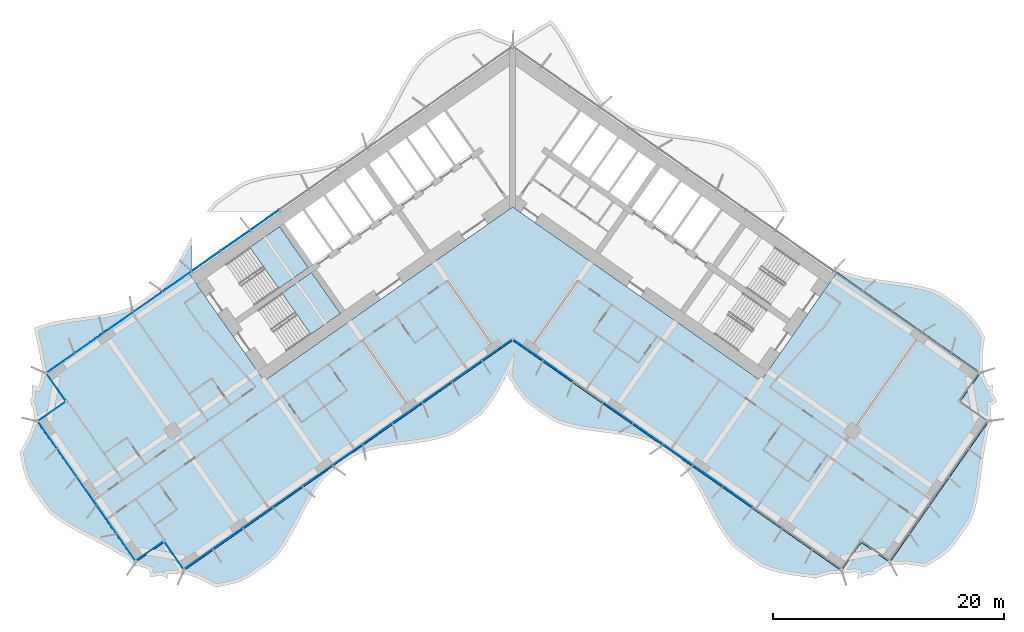
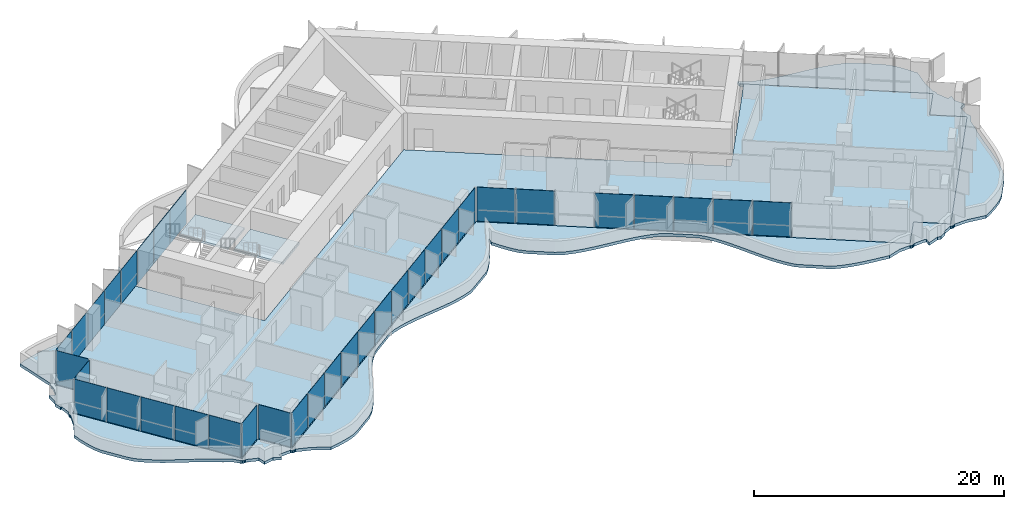
# One storey, part 10 of 22: 35 plates, 4 slabs, 4 elements without a shape of their own.
"""IFC4 building model written with IfcOpenShell, lengths in metres."""

from ifc_helpers import new_model, si_unit, direction, frame, origin, origin_2d, place, context, subcontext, project, spatial, polyline, rectangle, outline, extrude, material, layer, layer_set, type_object, element, aggregate, save


model = new_model("IFC4")

# Units and contexts
model_context = context("Model", 3, precision=1e-05, world=origin(), true_north=direction((0.0, 1.0)))
body_context = subcontext(model_context, "Body", "Model", "MODEL_VIEW")
ifc_project = project(units=[si_unit("LENGTHUNIT", "METRE"), si_unit("AREAUNIT", "SQUARE_METRE"), si_unit("VOLUMEUNIT", "CUBIC_METRE"), si_unit("PLANEANGLEUNIT", "RADIAN"), si_unit("MASSUNIT", "GRAM", prefix="KILO")], contexts=[model_context])

# Site, building, storey
site_placement = place(None, origin())
site = spatial("IfcSite", under=ifc_project, at=site_placement, CompositionType="ELEMENT")
building_placement = place(site_placement, origin())
building = spatial("IfcBuilding", under=site, at=building_placement, Name="Tel Ilan Convention Tower", CompositionType="ELEMENT")
storey_placement = place(building_placement, frame((0.0, 0.0, 122.89990234375)))
storey = spatial("IfcBuildingStorey", under=building, at=storey_placement, Name="L27", CompositionType="ELEMENT", Elevation=122.89990234375)

# Curtain wall, plates
ifc_material_1 = material(Name="Aluminium, bronze anodised", Category="aluminium")
curtain_wall_type_1 = type_object("IfcCurtainWallType", Name="CW1 UNITISED CURTAIN WALL, HOTEL TINTED GLASS", PredefinedType="NOTDEFINED", material=ifc_material_1)
curtain_wall_1_placement = place(storey_placement, origin())
curtain_wall_1 = element("IfcCurtainWall", 1, at=curtain_wall_1_placement, inside=storey, type_object=curtain_wall_type_1, Name="Curtain wall CW1-21.02", PredefinedType="NOTDEFINED")
ifc_material_2 = material(Name="Glass, bronze tinted, two-ply unitised", Category="glass")
ifc_layer_1 = layer(ifc_material_2, 0.028076171875)
ifc_layer_set_1 = layer_set([ifc_layer_1], Name="CW HOTEL GLASS PANEL 28")
plate_type_1 = type_object("IfcPlateType", Name="CW HOTEL GLASS PANEL 28", PredefinedType="CURTAIN_PANEL", material=ifc_layer_set_1)
plate_1_placement = place(storey_placement, frame((-29.1171875, -7.692138671875, 0.0), z_axis=(0.0, 0.0, 1.0), x_axis=(-0.819152044289, -0.573576436351, 0.0)))
plate_1 = element("IfcPlate", 2, at=plate_1_placement, type_object=plate_type_1, Name="Glass panel", PredefinedType="CURTAIN_PANEL", context=body_context, shape_type="SweptSolid", body=[
    extrude(rectangle(XDim=3.037109375, YDim=0.028076171875, at=origin_2d()), origin(), (0.0, 0.0, 1.0), 3.320068359375),
])
plate_2_placement = place(storey_placement, frame((-31.654296875, -9.468505859375, 0.0), z_axis=(0.0, 0.0, 1.0), x_axis=(-0.819152044289, -0.573576436351, 0.0)))
plate_2 = element("IfcPlate", 3, at=plate_2_placement, type_object=plate_type_1, Name="Glass panel", PredefinedType="CURTAIN_PANEL", context=body_context, shape_type="SweptSolid", body=[
    extrude(rectangle(XDim=3.037109375, YDim=0.028076171875, at=origin_2d()), origin(), (0.0, 0.0, 1.0), 3.320068359375),
])
plate_3_placement = place(storey_placement, frame((-34.191162109375, -11.244873046875, 0.0), z_axis=(0.0, 0.0, 1.0), x_axis=(-0.819152044289, -0.573576436351, 0.0)))
plate_3 = element("IfcPlate", 4, at=plate_3_placement, type_object=plate_type_1, Name="Glass panel", PredefinedType="CURTAIN_PANEL", context=body_context, shape_type="SweptSolid", body=[
    extrude(rectangle(XDim=3.037109375, YDim=0.028076171875, at=origin_2d()), origin(), (0.0, 0.0, 1.0), 3.320068359375),
])
plate_4_placement = place(storey_placement, frame((-36.72802734375, -13.021240234375, 0.0), z_axis=(0.0, 0.0, 1.0), x_axis=(-0.819152044289, -0.573576436351, 0.0)))
plate_4 = element("IfcPlate", 5, at=plate_4_placement, type_object=plate_type_1, Name="Glass panel", PredefinedType="CURTAIN_PANEL", context=body_context, shape_type="SweptSolid", body=[
    extrude(rectangle(XDim=3.037109375, YDim=0.028076171875, at=origin_2d()), origin(), (0.0, 0.0, 1.0), 3.320068359375),
])
plate_5_placement = place(storey_placement, frame((-39.2265625, -14.7705078125, 0.0), z_axis=(0.0, 0.0, 1.0), x_axis=(-0.819152044289, -0.573576436351, 0.0)))
plate_5 = element("IfcPlate", 6, at=plate_5_placement, type_object=plate_type_1, Name="Glass panel", PredefinedType="CURTAIN_PANEL", context=body_context, shape_type="SweptSolid", body=[
    extrude(rectangle(XDim=2.943115234375, YDim=0.028076171875, at=origin_2d()), origin(), (0.0, 0.0, 1.0), 3.320068359375),
])
plate_6_placement = place(storey_placement, frame((-39.61328125, -16.82568359375, 0.0), z_axis=(0.0, 0.0, 1.0), x_axis=(0.573576436351, -0.819152044289, 0.0)))
plate_6 = element("IfcPlate", 7, at=plate_6_placement, type_object=plate_type_1, Name="Glass panel", PredefinedType="CURTAIN_PANEL", context=body_context, shape_type="SweptSolid", body=[
    extrude(rectangle(XDim=2.875, YDim=0.028076171875, at=origin_2d()), origin(), (0.0, 0.0, 1.0), 3.320068359375),
])
plate_7_placement = place(storey_placement, frame((-39.990966796875, -18.96826171875, 0.0), z_axis=(0.0, 0.0, 1.0), x_axis=(-0.819152044289, -0.573576436351, 0.0)))
plate_7 = element("IfcPlate", 8, at=plate_7_placement, type_object=plate_type_1, Name="Glass panel", PredefinedType="CURTAIN_PANEL", context=body_context, shape_type="SweptSolid", body=[
    extrude(rectangle(XDim=2.875, YDim=0.028076171875, at=origin_2d()), origin(), (0.0, 0.0, 1.0), 3.320068359375),
])
plate_8_placement = place(storey_placement, frame((-40.358154296875, -20.991943359375, 0.0), z_axis=(0.0, 0.0, 1.0), x_axis=(0.573576436351, -0.819152044289, 0.0)))
plate_8 = element("IfcPlate", 9, at=plate_8_placement, type_object=plate_type_1, Name="Glass panel", PredefinedType="CURTAIN_PANEL", context=body_context, shape_type="SweptSolid", body=[
    extrude(rectangle(XDim=2.845947265625, YDim=0.028076171875, at=origin_2d()), origin(), (0.0, 0.0, 1.0), 3.320068359375),
])
plate_9_placement = place(storey_placement, frame((-38.66455078125, -23.410888671875, 0.0), z_axis=(0.0, 0.0, 1.0), x_axis=(0.573576436351, -0.819152044289, 0.0)))
plate_9 = element("IfcPlate", 10, at=plate_9_placement, type_object=plate_type_1, Name="Glass panel", PredefinedType="CURTAIN_PANEL", context=body_context, shape_type="SweptSolid", body=[
    extrude(rectangle(XDim=2.93994140625, YDim=0.028076171875, at=origin_2d()), origin(), (0.0, 0.0, 1.0), 3.320068359375),
])
plate_10_placement = place(storey_placement, frame((-36.94384765625, -25.868408203125, 0.0), z_axis=(0.0, 0.0, 1.0), x_axis=(0.573576436351, -0.819152044289, 0.0)))
plate_10 = element("IfcPlate", 11, at=plate_10_placement, type_object=plate_type_1, Name="Glass panel", PredefinedType="CURTAIN_PANEL", context=body_context, shape_type="SweptSolid", body=[
    extrude(rectangle(XDim=2.93994140625, YDim=0.028076171875, at=origin_2d()), origin(), (0.0, 0.0, 1.0), 3.320068359375),
])
plate_11_placement = place(storey_placement, frame((-35.22314453125, -28.32568359375, 0.0), z_axis=(0.0, 0.0, 1.0), x_axis=(0.573576436351, -0.819152044289, 0.0)))
plate_11 = element("IfcPlate", 12, at=plate_11_placement, type_object=plate_type_1, Name="Glass panel", PredefinedType="CURTAIN_PANEL", context=body_context, shape_type="SweptSolid", body=[
    extrude(rectangle(XDim=2.93994140625, YDim=0.028076171875, at=origin_2d()), origin(), (0.0, 0.0, 1.0), 3.320068359375),
])
plate_12_placement = place(storey_placement, frame((-33.529296875, -30.74462890625, 0.0), z_axis=(0.0, 0.0, 1.0), x_axis=(0.573576436351, -0.819152044289, 0.0)))
plate_12 = element("IfcPlate", 13, at=plate_12_placement, type_object=plate_type_1, Name="Glass panel", PredefinedType="CURTAIN_PANEL", context=body_context, shape_type="SweptSolid", body=[
    extrude(rectangle(XDim=2.845947265625, YDim=0.028076171875, at=origin_2d()), origin(), (0.0, 0.0, 1.0), 3.320068359375),
])
plate_13_placement = place(storey_placement, frame((-31.502197265625, -31.091796875, 0.0), z_axis=(0.0, 0.0, 1.0), x_axis=(0.819152044289, 0.573576436351, 0.0)))
plate_13 = element("IfcPlate", 14, at=plate_13_placement, type_object=plate_type_1, Name="Glass panel", PredefinedType="CURTAIN_PANEL", context=body_context, shape_type="SweptSolid", body=[
    extrude(rectangle(XDim=2.875, YDim=0.028076171875, at=origin_2d()), origin(), (0.0, 0.0, 1.0), 3.320068359375),
])
plate_14_placement = place(storey_placement, frame((-29.359375, -31.469482421875, 0.0), z_axis=(0.0, 0.0, 1.0), x_axis=(0.573576436351, -0.819152044289, 0.0)))
plate_14 = element("IfcPlate", 15, at=plate_14_placement, type_object=plate_type_1, Name="Glass panel", PredefinedType="CURTAIN_PANEL", context=body_context, shape_type="SweptSolid", body=[
    extrude(rectangle(XDim=2.875, YDim=0.028076171875, at=origin_2d()), origin(), (0.0, 0.0, 1.0), 3.320068359375),
])
plate_15_placement = place(storey_placement, frame((-27.26708984375, -31.78857421875, 0.0), z_axis=(0.0, 0.0, 1.0), x_axis=(0.819152044289, 0.573576436351, 0.0)))
plate_15 = element("IfcPlate", 16, at=plate_15_placement, type_object=plate_type_1, Name="Glass panel", PredefinedType="CURTAIN_PANEL", context=body_context, shape_type="SweptSolid", body=[
    extrude(rectangle(XDim=3.013916015625, YDim=0.028076171875, at=origin_2d()), origin(), (0.0, 0.0, 1.0), 3.320068359375),
])
plate_16_placement = place(storey_placement, frame((-24.71044921875, -29.99853515625, 0.0), z_axis=(0.0, 0.0, 1.0), x_axis=(0.819152044289, 0.573576436351, 0.0)))
plate_16 = element("IfcPlate", 17, at=plate_16_placement, type_object=plate_type_1, Name="Glass panel", PredefinedType="CURTAIN_PANEL", context=body_context, shape_type="SweptSolid", body=[
    extrude(rectangle(XDim=3.10791015625, YDim=0.028076171875, at=origin_2d()), origin(), (0.0, 0.0, 1.0), 3.320068359375),
])
plate_17_placement = place(storey_placement, frame((-22.115478515625, -28.181396484375, 0.0), z_axis=(0.0, 0.0, 1.0), x_axis=(0.819152044289, 0.573576436351, 0.0)))
plate_17 = element("IfcPlate", 18, at=plate_17_placement, type_object=plate_type_1, Name="Glass panel", PredefinedType="CURTAIN_PANEL", context=body_context, shape_type="SweptSolid", body=[
    extrude(rectangle(XDim=3.10791015625, YDim=0.028076171875, at=origin_2d()), origin(), (0.0, 0.0, 1.0), 3.320068359375),
])
plate_18_placement = place(storey_placement, frame((-19.520263671875, -26.3642578125, 0.0), z_axis=(0.0, 0.0, 1.0), x_axis=(0.819152044289, 0.573576436351, 0.0)))
plate_18 = element("IfcPlate", 19, at=plate_18_placement, type_object=plate_type_1, Name="Glass panel", PredefinedType="CURTAIN_PANEL", context=body_context, shape_type="SweptSolid", body=[
    extrude(rectangle(XDim=3.10791015625, YDim=0.028076171875, at=origin_2d()), origin(), (0.0, 0.0, 1.0), 3.320068359375),
])
plate_19_placement = place(storey_placement, frame((-16.92529296875, -24.54736328125, 0.0), z_axis=(0.0, 0.0, 1.0), x_axis=(0.819152044289, 0.573576436351, 0.0)))
plate_19 = element("IfcPlate", 20, at=plate_19_placement, type_object=plate_type_1, Name="Glass panel", PredefinedType="CURTAIN_PANEL", context=body_context, shape_type="SweptSolid", body=[
    extrude(rectangle(XDim=3.10791015625, YDim=0.028076171875, at=origin_2d()), origin(), (0.0, 0.0, 1.0), 3.320068359375),
])
plate_20_placement = place(storey_placement, frame((-14.330078125, -22.730224609375, 0.0), z_axis=(0.0, 0.0, 1.0), x_axis=(0.819152044289, 0.573576436351, 0.0)))
plate_20 = element("IfcPlate", 21, at=plate_20_placement, type_object=plate_type_1, Name="Glass panel", PredefinedType="CURTAIN_PANEL", context=body_context, shape_type="SweptSolid", body=[
    extrude(rectangle(XDim=3.10791015625, YDim=0.028076171875, at=origin_2d()), origin(), (0.0, 0.0, 1.0), 3.320068359375),
])
plate_21_placement = place(storey_placement, frame((-11.735107421875, -20.9130859375, 0.0), z_axis=(0.0, 0.0, 1.0), x_axis=(0.819152044289, 0.573576436351, 0.0)))
plate_21 = element("IfcPlate", 22, at=plate_21_placement, type_object=plate_type_1, Name="Glass panel", PredefinedType="CURTAIN_PANEL", context=body_context, shape_type="SweptSolid", body=[
    extrude(rectangle(XDim=3.10791015625, YDim=0.028076171875, at=origin_2d()), origin(), (0.0, 0.0, 1.0), 3.320068359375),
])
plate_22_placement = place(storey_placement, frame((-9.14013671875, -19.095947265625, 0.0), z_axis=(0.0, 0.0, 1.0), x_axis=(0.819152044289, 0.573576436351, 0.0)))
plate_22 = element("IfcPlate", 23, at=plate_22_placement, type_object=plate_type_1, Name="Glass panel", PredefinedType="CURTAIN_PANEL", context=body_context, shape_type="SweptSolid", body=[
    extrude(rectangle(XDim=3.10791015625, YDim=0.028076171875, at=origin_2d()), origin(), (0.0, 0.0, 1.0), 3.320068359375),
])
plate_23_placement = place(storey_placement, frame((-6.544921875, -17.27880859375, 0.0), z_axis=(0.0, 0.0, 1.0), x_axis=(0.819152044289, 0.573576436351, 0.0)))
plate_23 = element("IfcPlate", 24, at=plate_23_placement, type_object=plate_type_1, Name="Glass panel", PredefinedType="CURTAIN_PANEL", context=body_context, shape_type="SweptSolid", body=[
    extrude(rectangle(XDim=3.10791015625, YDim=0.028076171875, at=origin_2d()), origin(), (0.0, 0.0, 1.0), 3.320068359375),
])
plate_24_placement = place(storey_placement, frame((-3.949951171875, -15.4619140625, 0.0), z_axis=(0.0, 0.0, 1.0), x_axis=(0.819152044289, 0.573576436351, 0.0)))
plate_24 = element("IfcPlate", 25, at=plate_24_placement, type_object=plate_type_1, Name="Glass panel", PredefinedType="CURTAIN_PANEL", context=body_context, shape_type="SweptSolid", body=[
    extrude(rectangle(XDim=3.10791015625, YDim=0.028076171875, at=origin_2d()), origin(), (0.0, 0.0, 1.0), 3.320068359375),
])
plate_25_placement = place(storey_placement, frame((-1.355224609375, -13.64501953125, 0.0), z_axis=(0.0, 0.0, 1.0), x_axis=(0.819152044289, 0.573576436351, 0.0)))
plate_25 = element("IfcPlate", 26, at=plate_25_placement, type_object=plate_type_1, Name="Glass panel", PredefinedType="CURTAIN_PANEL", context=body_context, shape_type="SweptSolid", body=[
    extrude(rectangle(XDim=3.10693359375, YDim=0.028076171875, at=origin_2d()), origin(), (0.0, 0.0, 1.0), 3.320068359375),
])
plate_26_placement = place(storey_placement, frame((1.366943359375, -13.653076171875, 0.0), z_axis=(0.0, 0.0, 1.0), x_axis=(0.819152044289, -0.573576436351, 0.0)))
plate_26 = element("IfcPlate", 27, at=plate_26_placement, type_object=plate_type_1, Name="Glass panel", PredefinedType="CURTAIN_PANEL", context=body_context, shape_type="SweptSolid", body=[
    extrude(rectangle(XDim=3.078857421875, YDim=0.028076171875, at=origin_2d()), origin(), (0.0, 0.0, 1.0), 3.320068359375),
])
plate_27_placement = place(storey_placement, frame((3.949951171875, -15.4619140625, 0.0), z_axis=(0.0, 0.0, 1.0), x_axis=(0.819152044289, -0.573576436351, 0.0)))
plate_27 = element("IfcPlate", 28, at=plate_27_placement, type_object=plate_type_1, Name="Glass panel", PredefinedType="CURTAIN_PANEL", context=body_context, shape_type="SweptSolid", body=[
    extrude(rectangle(XDim=3.10791015625, YDim=0.028076171875, at=origin_2d()), origin(), (0.0, 0.0, 1.0), 3.320068359375),
])
plate_28_placement = place(storey_placement, frame((9.14013671875, -19.095947265625, 0.0), z_axis=(0.0, 0.0, 1.0), x_axis=(0.819152044289, -0.573576436351, 0.0)))
plate_28 = element("IfcPlate", 29, at=plate_28_placement, type_object=plate_type_1, Name="Glass panel", PredefinedType="CURTAIN_PANEL", context=body_context, shape_type="SweptSolid", body=[
    extrude(rectangle(XDim=3.10791015625, YDim=0.028076171875, at=origin_2d()), origin(), (0.0, 0.0, 1.0), 3.320068359375),
])
plate_29_placement = place(storey_placement, frame((11.735107421875, -20.9130859375, 0.0), z_axis=(0.0, 0.0, 1.0), x_axis=(0.819152044289, -0.573576436351, 0.0)))
plate_29 = element("IfcPlate", 30, at=plate_29_placement, type_object=plate_type_1, Name="Glass panel", PredefinedType="CURTAIN_PANEL", context=body_context, shape_type="SweptSolid", body=[
    extrude(rectangle(XDim=3.10791015625, YDim=0.028076171875, at=origin_2d()), origin(), (0.0, 0.0, 1.0), 3.320068359375),
])
plate_30_placement = place(storey_placement, frame((14.330078125, -22.730224609375, 0.0), z_axis=(0.0, 0.0, 1.0), x_axis=(0.819152044289, -0.573576436351, 0.0)))
plate_30 = element("IfcPlate", 31, at=plate_30_placement, type_object=plate_type_1, Name="Glass panel", PredefinedType="CURTAIN_PANEL", context=body_context, shape_type="SweptSolid", body=[
    extrude(rectangle(XDim=3.10791015625, YDim=0.028076171875, at=origin_2d()), origin(), (0.0, 0.0, 1.0), 3.320068359375),
])
plate_31_placement = place(storey_placement, frame((16.92529296875, -24.54736328125, 0.0), z_axis=(0.0, 0.0, 1.0), x_axis=(0.819152044289, -0.573576436351, 0.0)))
plate_31 = element("IfcPlate", 32, at=plate_31_placement, type_object=plate_type_1, Name="Glass panel", PredefinedType="CURTAIN_PANEL", context=body_context, shape_type="SweptSolid", body=[
    extrude(rectangle(XDim=3.10791015625, YDim=0.028076171875, at=origin_2d()), origin(), (0.0, 0.0, 1.0), 3.320068359375),
])
plate_32_placement = place(storey_placement, frame((19.520263671875, -26.3642578125, 0.0), z_axis=(0.0, 0.0, 1.0), x_axis=(0.819152044289, -0.573576436351, 0.0)))
plate_32 = element("IfcPlate", 33, at=plate_32_placement, type_object=plate_type_1, Name="Glass panel", PredefinedType="CURTAIN_PANEL", context=body_context, shape_type="SweptSolid", body=[
    extrude(rectangle(XDim=3.10791015625, YDim=0.028076171875, at=origin_2d()), origin(), (0.0, 0.0, 1.0), 3.320068359375),
])
aggregate(curtain_wall_1, [plate_1, plate_2, plate_3, plate_4, plate_5, plate_6, plate_7, plate_8, plate_9, plate_10, plate_11, plate_12, plate_13, plate_14, plate_15, plate_16, plate_17, plate_18, plate_19, plate_20, plate_21, plate_22, plate_23, plate_24, plate_25, plate_26, plate_27, plate_28, plate_29, plate_30, plate_31, plate_32])

ifc_material_3 = material(Name="Aluminium, bronze anodised", Category="aluminium")
curtain_wall_type_2 = type_object("IfcCurtainWallType", Name="CW2 STICK CURTAIN WALL, SPANDREL PANELS", PredefinedType="NOTDEFINED", material=ifc_material_3)
curtain_wall_2_placement = place(storey_placement, origin())
curtain_wall_2 = element("IfcCurtainWall", 34, at=curtain_wall_2_placement, inside=storey, type_object=curtain_wall_type_2, Name="Curtain wall CW2-21.01", PredefinedType="NOTDEFINED")
ifc_material_4 = material(Name="Aluminium composite panel, bronze anodised", Category="aluminium")
ifc_layer_2 = layer(ifc_material_4, 0.06005859375)
ifc_layer_set_2 = layer_set([ifc_layer_2], Name="CW SPANDREL PANEL 60")
plate_type_2 = type_object("IfcPlateType", Name="CW SPANDREL PANEL 60", PredefinedType="CURTAIN_PANEL", material=ifc_layer_set_2)
plate_33_placement = place(storey_placement, frame((-21.506591796875, -2.363037109375, 0.0), z_axis=(0.0, 0.0, 1.0), x_axis=(-0.819152044289, -0.573576436351, 0.0)))
plate_33 = element("IfcPlate", 35, at=plate_33_placement, type_object=plate_type_2, Name="Spandrel panel", PredefinedType="CURTAIN_PANEL", context=body_context, shape_type="SweptSolid", body=[
    extrude(rectangle(XDim=3.037109375, YDim=0.06005859375, at=origin_2d()), origin(), (0.0, 0.0, 1.0), 3.320068359375),
])
plate_34_placement = place(storey_placement, frame((-24.04345703125, -4.139404296875, 0.0), z_axis=(0.0, 0.0, 1.0), x_axis=(-0.819152044289, -0.573576436351, 0.0)))
plate_34 = element("IfcPlate", 36, at=plate_34_placement, type_object=plate_type_2, Name="Spandrel panel", PredefinedType="CURTAIN_PANEL", context=body_context, shape_type="SweptSolid", body=[
    extrude(rectangle(XDim=3.037109375, YDim=0.06005859375, at=origin_2d()), origin(), (0.0, 0.0, 1.0), 3.320068359375),
])
plate_35_placement = place(storey_placement, frame((-26.580322265625, -5.915771484375, 0.0), z_axis=(0.0, 0.0, 1.0), x_axis=(-0.819152044289, -0.573576436351, 0.0)))
plate_35 = element("IfcPlate", 37, at=plate_35_placement, type_object=plate_type_2, Name="Spandrel panel", PredefinedType="CURTAIN_PANEL", context=body_context, shape_type="SweptSolid", body=[
    extrude(rectangle(XDim=3.037109375, YDim=0.06005859375, at=origin_2d()), origin(), (0.0, 0.0, 1.0), 3.320068359375),
])
aggregate(curtain_wall_2, [plate_33, plate_34, plate_35])

# Stair, slab
ifc_material_5 = material(Name="Concrete C40/50", Category="concrete")
stair_type = type_object("IfcStairType", Name="Pressurised Exit Stair 20 risers 180 mm", PredefinedType="HALF_TURN_STAIR", material=ifc_material_5)
stair_1_placement = place(storey_placement, origin())
stair_1 = element("IfcStair", 38, at=stair_1_placement, inside=storey, type_object=stair_type, Name="L27 Pressurised Stair S1", PredefinedType="HALF_TURN_STAIR")
ifc_material_6 = material(Name="Concrete C40/50", Category="concrete")
ifc_layer_3 = layer(ifc_material_6, 0.199951171875)
ifc_layer_set_3 = layer_set([ifc_layer_3], Name="Concrete Stair Landing 200 mm C40/50")
slab_type_1 = type_object("IfcSlabType", Name="Concrete Stair Landing 200 mm", PredefinedType="LANDING", material=ifc_layer_set_3)
slab_1_placement = place(storey_placement, frame((0.0, 0.0, 1.60009765625)))
slab_1 = element("IfcSlab", 39, at=slab_1_placement, type_object=slab_type_1, Name="S1 landing 1", PredefinedType="LANDING", context=body_context, shape_type="SweptSolid", body=[
    extrude(outline(polyline([(-20.2958984375, -8.29052734375), (-17.7314453125, -6.494873046875), (-20.226318359375, -2.931640625), (-22.791015625, -4.727294921875), (-20.2958984375, -8.29052734375)])), origin(), (0.0, 0.0, 1.0), 0.199951171875),
])
aggregate(stair_1, [slab_1])

stair_2_placement = place(storey_placement, origin())
stair_2 = element("IfcStair", 40, at=stair_2_placement, inside=storey, type_object=stair_type, Name="L27 Pressurised Stair S2", PredefinedType="HALF_TURN_STAIR")
slab_2_placement = place(storey_placement, frame((0.0, 0.0, 1.60009765625)))
slab_2 = element("IfcSlab", 41, at=slab_2_placement, type_object=slab_type_1, Name="S2 landing 1", PredefinedType="LANDING", context=body_context, shape_type="SweptSolid", body=[
    extrude(outline(polyline([(-17.51416015625, -12.263427734375), (-14.949462890625, -10.4677734375), (-17.444580078125, -6.904541015625), (-20.00927734375, -8.7001953125), (-17.51416015625, -12.263427734375)])), origin(), (0.0, 0.0, 1.0), 0.199951171875),
])
aggregate(stair_2, [slab_2])

# Slabs
ifc_material_7 = material(Name="Concrete C40/50", Category="concrete")
ifc_layer_4 = layer(ifc_material_7, 0.280029296875)
ifc_layer_set_4 = layer_set([ifc_layer_4], Name="Edge Ledge Slab 280 mm C40/50")
slab_type_2 = type_object("IfcSlabType", Name="Edge Ledge Slab 280 mm C40/50", PredefinedType="FLOOR", material=ifc_layer_set_4)
slab_3_placement = place(storey_placement, frame((0.0, 0.0, -0.27978515625)))
element("IfcSlab", 42, at=slab_3_placement, inside=storey, type_object=slab_type_2, Name="L27 edge ledge 1", PredefinedType="FLOOR", context=body_context, shape_type="SweptSolid", body=[
    extrude(outline(polyline([(-41.327392578125, -19.781982421875), (-32.723876953125, -32.0693359375), (-30.266357421875, -30.3486328125), (-30.09423828125, -30.59423828125), (-28.714599609375, -32.56494140625), (-28.545654296875, -32.805908203125), (0.0, -12.818115234375), (28.545654296875, -32.805908203125), (28.712890625, -32.567138671875), (30.09423828125, -30.59423828125), (30.266357421875, -30.3486328125), (32.723876953125, -32.0693359375), (41.327392578125, -19.781982421875), (41.08837890625, -19.61474609375), (40.098876953125, -18.921630859375), (38.8701171875, -18.061279296875), (40.5908203125, -15.603759765625), (27.875, -6.7001953125), (27.875, -6.333740234375), (28.040283203125, -6.44970703125), (28.68408203125, -6.820068359375), (29.414794921875, -7.0654296875), (30.181884765625, -7.259521484375), (30.97802734375, -7.412109375), (31.79443359375, -7.535400390625), (32.6220703125, -7.64306640625), (33.450927734375, -7.748779296875), (34.27099609375, -7.86669921875), (35.072998046875, -8.0107421875), (35.84814453125, -8.193115234375), (36.5888671875, -8.4248046875), (37.260498046875, -8.755126953125), (39.077880859375, -10.027587890625), (39.63232421875, -10.525390625), (40.108154296875, -11.13525390625), (40.548583984375, -11.795654296875), (40.96044921875, -12.496826171875), (40.743408203125, -14.096435546875), (40.7626953125, -15.358154296875), (40.759521484375, -15.36279296875), (40.802978515625, -15.3916015625), (40.867919921875, -15.489013671875), (40.890869140625, -15.603759765625), (40.867919921875, -15.718505859375), (40.831787109375, -15.772705078125), (40.83642578125, -15.77587890625), (41.29638671875, -16.79443359375), (41.686767578125, -16.65380859375), (41.602294921875, -17.322509765625), (42.063720703125, -18.10009765625), (41.508056640625, -18.443603515625), (41.487548828125, -18.439453125), (41.49951171875, -19.536376953125), (41.496337890625, -19.541015625), (41.53955078125, -19.56982421875), (41.604736328125, -19.667236328125), (41.62744140625, -19.781982421875), (41.604736328125, -19.896728515625), (41.568603515625, -19.95068359375), (41.5732421875, -19.9541015625), (41.24267578125, -20.594482421875), (41.12841796875, -21.386474609375), (40.97021484375, -22.147705078125), (40.841064453125, -22.929443359375), (40.732421875, -23.72509765625), (40.631103515625, -24.5263671875), (40.52490234375, -25.323974609375), (40.40087890625, -26.10888671875), (40.247314453125, -26.87353515625), (40.0537109375, -27.60986328125), (39.810791015625, -28.311767578125), (39.44189453125, -28.925537109375), (38.212890625, -30.680908203125), (37.701904296875, -31.195068359375), (37.104736328125, -31.64892578125), (36.4619140625, -32.07080078125), (35.769775390625, -32.4580078125), (34.16845703125, -32.208740234375), (32.969482421875, -32.241455078125), (32.96484375, -32.238037109375), (32.93603515625, -32.281494140625), (32.838623046875, -32.346435546875), (32.723876953125, -32.369384765625), (32.60888671875, -32.346435546875), (32.554931640625, -32.310302734375), (32.5517578125, -32.31494140625), (31.685546875, -32.75439453125), (31.7392578125, -32.8447265625), (31.18359375, -33.188232421875), (30.877685546875, -33.126708984375), (29.9072265625, -33.476806640625), (29.97412109375, -32.9453125), (29.716796875, -32.8935546875), (28.79150390625, -32.97802734375), (28.78662109375, -32.974853515625), (28.7578125, -33.018310546875), (28.660400390625, -33.083251953125), (28.545654296875, -33.10595703125), (28.430908203125, -33.083251953125), (28.376953125, -33.047119140625), (28.37353515625, -33.0517578125), (27.44921875, -33.079345703125), (26.29443359375, -33.435546875), (25.462646484375, -33.3310546875), (24.635986328125, -33.218994140625), (23.824462890625, -33.08544921875), (23.03662109375, -32.91748046875), (22.281005859375, -32.7041015625), (21.564697265625, -32.434814453125), (19.742431640625, -31.158935546875), (19.1513671875, -30.71044921875), (18.660888671875, -30.1181640625), (18.2080078125, -29.47216796875), (17.785888671875, -28.782470703125), (17.38623046875, -28.060546875), (16.999755859375, -27.31982421875), (16.61669921875, -26.574462890625), (16.2265625, -25.838623046875), (15.8203125, -25.12646484375), (15.388427734375, -24.450439453125), (14.92333984375, -23.822021484375), (14.404296875, -23.2705078125), (12.58251953125, -21.99462890625), (11.9423828125, -21.61572265625), (11.211669921875, -21.366943359375), (10.444091796875, -21.17041015625), (9.647216796875, -21.015625), (8.829345703125, -20.89111328125), (8.0, -20.782958984375), (7.1689453125, -20.677001953125), (6.34619140625, -20.559326171875), (5.54150390625, -20.416015625), (4.763427734375, -20.234375), (4.02001953125, -20.003662109375), (3.343994140625, -19.676513671875), (1.52197265625, -18.400634765625), (0.964599609375, -17.90380859375), (0.4873046875, -17.293212890625), (0.04541015625, -16.631591796875), (-0.367919921875, -15.928955078125), (-0.29345703125, -15.373291015625), (-0.56103515625, -15.89501953125), (-0.94921875, -16.63330078125), (-1.352294921875, -17.350341796875), (-1.779296875, -18.032958984375), (-2.23828125, -18.669921875), (-2.736572265625, -19.251220703125), (-4.55859375, -20.527099609375), (-5.18212890625, -20.92919921875), (-5.906494140625, -21.1875), (-6.66845703125, -21.39208984375), (-7.4609375, -21.552734375), (-8.27587890625, -21.681396484375), (-9.104248046875, -21.791259765625), (-9.935791015625, -21.896484375), (-10.760498046875, -22.01123046875), (-11.56884765625, -22.1494140625), (-12.351806640625, -22.32421875), (-13.101318359375, -22.546142578125), (-13.797119140625, -22.84521484375), (-15.619140625, -24.12109375), (-16.194091796875, -24.5927734375), (-16.677734375, -25.1943359375), (-17.125, -25.848388671875), (-17.54296875, -26.544189453125), (-17.939697265625, -27.270263671875), (-18.3251953125, -28.0126953125), (-18.708740234375, -28.75732421875), (-19.1005859375, -29.490234375), (-19.510498046875, -30.197509765625), (-19.947509765625, -30.8662109375), (-20.41845703125, -31.486083984375), (-20.957275390625, -32.009521484375), (-22.779296875, -33.28515625), (-23.436767578125, -33.638916015625), (-24.174072265625, -33.87890625), (-24.94677734375, -34.067626953125), (-25.748291015625, -34.2158203125), (-27.177490234375, -33.46728515625), (-28.37353515625, -33.0517578125), (-28.376953125, -33.047119140625), (-28.430908203125, -33.083251953125), (-28.545654296875, -33.10595703125), (-28.660400390625, -33.083251953125), (-28.7578125, -33.018310546875), (-28.78662109375, -32.974853515625), (-28.79150390625, -32.97802734375), (-29.906005859375, -33.06201171875), (-29.9072265625, -33.476806640625), (-30.5068359375, -33.168701171875), (-31.39501953125, -33.336181640625), (-31.52783203125, -32.69677734375), (-31.51708984375, -32.678955078125), (-32.5517578125, -32.31494140625), (-32.554931640625, -32.310302734375), (-32.60888671875, -32.346435546875), (-32.723876953125, -32.369384765625), (-32.838623046875, -32.346435546875), (-32.93603515625, -32.281494140625), (-32.96484375, -32.238037109375), (-32.969482421875, -32.241455078125), (-33.458251953125, -31.711669921875), (-34.16357421875, -31.33349609375), (-34.82470703125, -30.92431640625), (-35.514892578125, -30.535888671875), (-36.2255859375, -30.161376953125), (-36.94384765625, -29.792236328125), (-37.656982421875, -29.419677734375), (-38.352294921875, -29.03466796875), (-39.018310546875, -28.62890625), (-39.643798828125, -28.195068359375), (-40.220458984375, -27.726806640625), (-40.671142578125, -27.170166015625), (-41.900146484375, -25.414794921875), (-42.20849609375, -24.7587890625), (-42.430908203125, -24.04248046875), (-42.607421875, -23.294189453125), (-42.734619140625, -22.51123046875), (-41.95263671875, -21.091796875), (-41.5732421875, -19.9541015625), (-41.568603515625, -19.95068359375), (-41.604736328125, -19.896728515625), (-41.62744140625, -19.781982421875), (-41.604736328125, -19.667236328125), (-41.53955078125, -19.56982421875), (-41.496337890625, -19.541015625), (-41.49951171875, -19.536376953125), (-41.6162109375, -18.572021484375), (-41.719482421875, -18.591552734375), (-41.852294921875, -17.9521484375), (-41.68994140625, -17.685546875), (-41.686767578125, -16.65380859375), (-41.210205078125, -16.898681640625), (-41.073486328125, -16.67431640625), (-40.83642578125, -15.77587890625), (-40.831787109375, -15.772705078125), (-40.867919921875, -15.718505859375), (-40.890869140625, -15.603759765625), (-40.867919921875, -15.489013671875), (-40.802978515625, -15.3916015625), (-40.759521484375, -15.36279296875), (-40.7626953125, -15.358154296875), (-41.11181640625, -13.5703125), (-41.499267578125, -11.727294921875), (-40.784912109375, -11.45849609375), (-40.03076171875, -11.24609375), (-39.244873046875, -11.078857421875), (-38.43505859375, -10.94580078125), (-37.610595703125, -10.833984375), (-36.781005859375, -10.729248046875), (-35.956298828125, -10.61767578125), (-35.146240234375, -10.485107421875), (-34.360107421875, -10.318603515625), (-33.60546875, -10.106689453125), (-32.88916015625, -9.84033203125), (-32.28125, -9.419189453125), (-31.069580078125, -8.57080078125), (-30.476318359375, -8.128662109375), (-29.9853515625, -7.540283203125), (-29.5322265625, -6.89794921875), (-29.10986328125, -6.211669921875), (-28.71044921875, -5.492919921875), (-28.324462890625, -4.754638671875), (-27.9423828125, -4.010986328125), (-27.875, -3.88330078125), (-27.875, -6.7001953125), (-40.5908203125, -15.603759765625), (-38.8701171875, -18.061279296875), (-40.098876953125, -18.921630859375), (-41.08642578125, -19.61328125), (-41.327392578125, -19.781982421875)])), origin(), (0.0, 0.0, 1.0), 0.27978515625),
])
ifc_material_8 = material(Name="Concrete C40/50", Category="concrete")
ifc_layer_5 = layer(ifc_material_8, 0.280029296875)
ifc_layer_set_5 = layer_set([ifc_layer_5], Name="Flat Plate Floor Slab 280 mm C40/50")
slab_type_3 = type_object("IfcSlabType", Name="Flat Plate Floor Slab 280 mm C40/50", PredefinedType="FLOOR", material=ifc_layer_set_5)
slab_4_placement = place(storey_placement, frame((0.0, 0.0, -0.27978515625)))
element("IfcSlab", 43, at=slab_4_placement, inside=storey, type_object=slab_type_3, Name="L27 floor slab", PredefinedType="FLOOR", context=body_context, shape_type="SweptSolid", body=[
    extrude(outline(polyline([(41.08642578125, -19.61328125), (41.327392578125, -19.781982421875), (32.723876953125, -32.0693359375), (30.266357421875, -30.3486328125), (30.09423828125, -30.59423828125), (28.714599609375, -32.56494140625), (28.545654296875, -32.805908203125), (0.0, -12.818115234375), (-28.545654296875, -32.805908203125), (-28.714599609375, -32.56494140625), (-30.09423828125, -30.59423828125), (-30.266357421875, -30.3486328125), (-32.723876953125, -32.0693359375), (-41.327392578125, -19.781982421875), (-41.08642578125, -19.61328125), (-40.098876953125, -18.921630859375), (-38.8701171875, -18.061279296875), (-40.5908203125, -15.603759765625), (-28.1396484375, -6.885498046875), (-21.54345703125, -16.3056640625), (0.0, -1.220703125), (21.54345703125, -16.3056640625), (28.1396484375, -6.885498046875), (40.5908203125, -15.603759765625), (38.8701171875, -18.061279296875), (40.098876953125, -18.921630859375), (41.08642578125, -19.61328125)])), origin(), (0.0, 0.0, 1.0), 0.27978515625),
])

save(model, "model.ifc")
